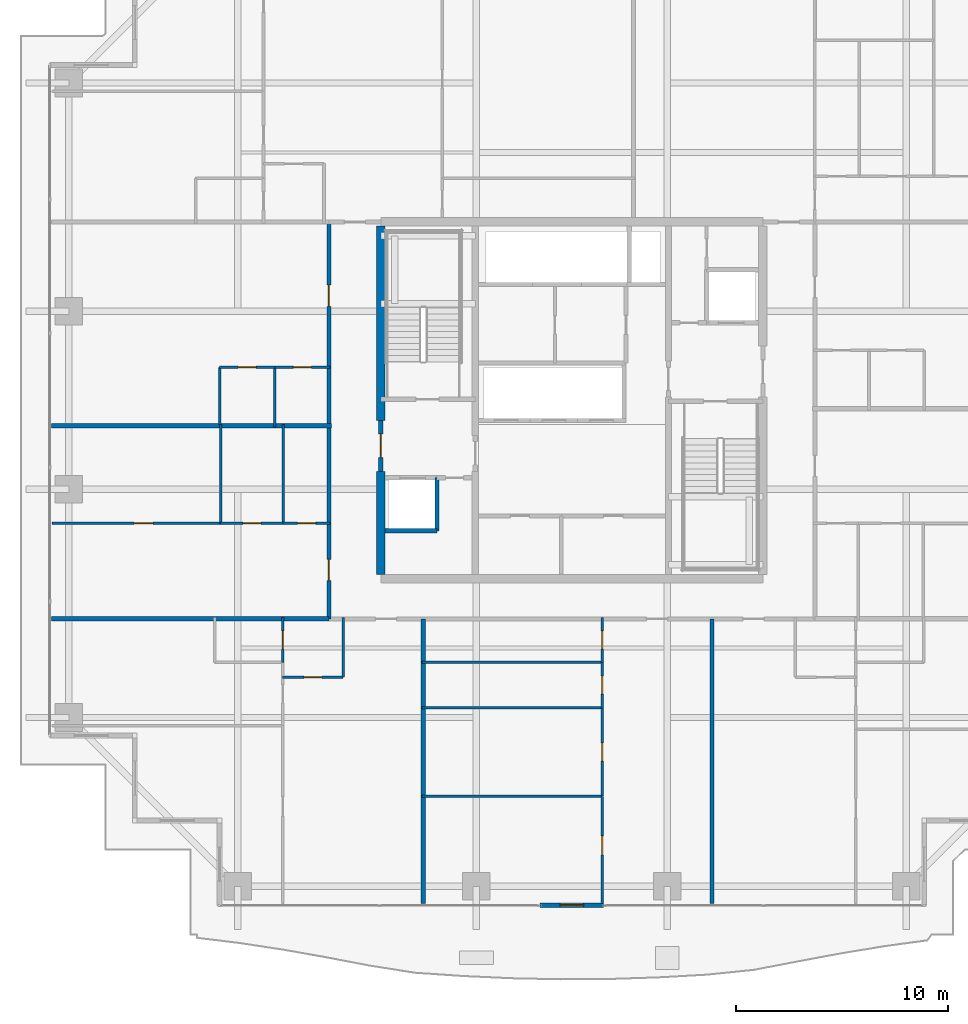
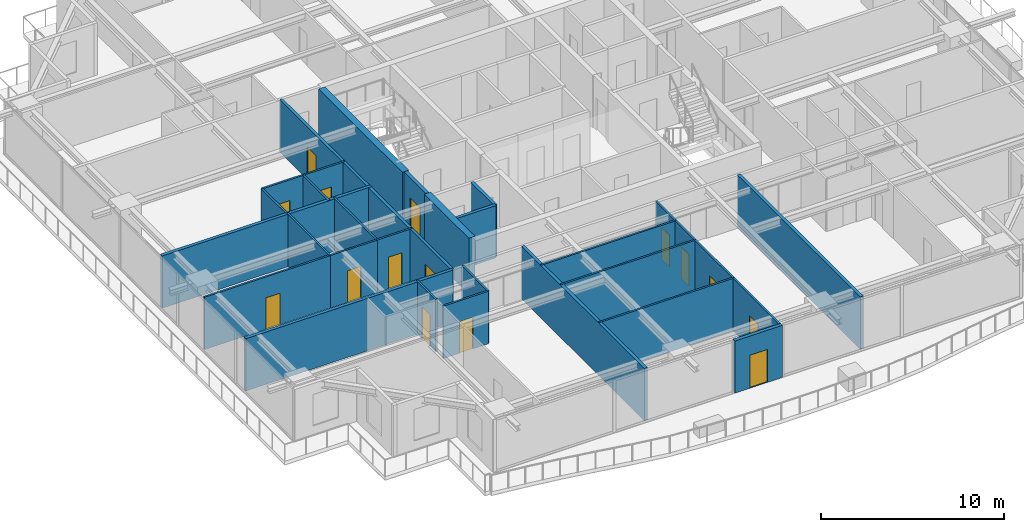
# One storey, part 26 of 36: 30 walls, 15 doors, 15 openings.
"""IFC4 building model written with IfcOpenShell, lengths in metres."""

from ifc_helpers import new_model, si_unit, direction, frame, frame_2d, origin, place, context, subcontext, project, spatial, rectangle, extrude, source, transform, mapped, material, layer, layer_set, type_object, element, fill, save


model = new_model("IFC4")

# Units and contexts
model_context = context("Model", 3, precision=1e-05, world=origin(), true_north=direction((0.0, 1.0)))
body_context = subcontext(model_context, "Body", "Model", "MODEL_VIEW")
ifc_project = project(units=[si_unit("LENGTHUNIT", "METRE"), si_unit("AREAUNIT", "SQUARE_METRE"), si_unit("VOLUMEUNIT", "CUBIC_METRE"), si_unit("PLANEANGLEUNIT", "RADIAN"), si_unit("MASSUNIT", "GRAM", prefix="KILO")], contexts=[model_context])

# Site, building, storey
site_placement = place(None, origin())
site = spatial("IfcSite", under=ifc_project, at=site_placement, CompositionType="ELEMENT")
building_placement = place(site_placement, origin())
building = spatial("IfcBuilding", under=site, at=building_placement, Name="Serunith Strait Residences", CompositionType="ELEMENT")
storey_placement = place(building_placement, frame((0.0, 0.0, 131.39990234375)))
storey = spatial("IfcBuildingStorey", under=building, at=storey_placement, Name="L32", CompositionType="ELEMENT", Elevation=131.39990234375)

# Wall, opening, door
ifc_material_1 = material(Name="Pale-Champagne Aluminium Insulated Panel", Category="aluminium")
ifc_layer_1 = layer(ifc_material_1, 0.219970703125, Name="Pale-Champagne Aluminium Insulated Panel")
ifc_layer_set_1 = layer_set([ifc_layer_1], Name="Pale-Champagne Aluminium Insulated Panel")
wall_type_1 = type_object("IfcWallType", Name="EW-ALUM-220", PredefinedType="ELEMENTEDWALL", material=ifc_layer_set_1)
wall_1_placement = place(storey_placement, frame((30.89990234375, 1.39990234375, 0.0), z_axis=(0.0, 0.0, 1.0), x_axis=(1.0, 0.0, 0.0)))
wall_1 = element("IfcWall", 1, at=wall_1_placement, inside=storey, type_object=wall_type_1, Name="L32 S Facade Pier Wall", PredefinedType="ELEMENTEDWALL", context=body_context, shape_type="SweptSolid", body=[
    extrude(rectangle(XDim=3.0, YDim=0.219970703125, at=frame_2d((1.5, 0.0))), origin(), (0.0, 0.0, 1.0), 3.47509765625),
])
opening_1_placement = place(wall_1_placement, frame((0.949951171875, 0.0, 0.0)))
opening_1 = element("IfcOpeningElement", 2, at=opening_1_placement, cuts=wall_1, Name="Opening ED-03", PredefinedType="OPENING", context=body_context, shape_type="SweptSolid", body=[
    extrude(rectangle(XDim=1.10009765625, YDim=2.199951171875, at=frame_2d((0.550048828125, 1.10009765625))), frame((0.0, 0.1201171875, 0.0), z_axis=(0.0, -1.0, 0.0), x_axis=(1.0, 0.0, 0.0)), (0.0, 0.0, 1.0), 0.239990234375),
])
ifc_material_2 = material(Name="Thermally-Broken Aluminium Glazed Balcony Door", Category="aluminium")
door_type_1 = type_object("IfcDoorType", Name="ED-BALC-1100", OperationType="NOTDEFINED", PredefinedType="DOOR", material=ifc_material_2)
shared_shape_1 = source(origin(), body_context, "Body", "SweptSolid", [
    extrude(rectangle(XDim=1.10009765625, YDim=2.199951171875, at=frame_2d((0.550048828125, 1.10009765625))), frame((0.0, 0.02490234375, 0.0), z_axis=(0.0, -1.0, 0.0), x_axis=(1.0, 0.0, 0.0)), (0.0, 0.0, 1.0), 0.050048828125),
])
door_1_placement = place(opening_1_placement, origin())
door_1 = element("IfcDoor", 3, at=door_1_placement, inside=storey, type_object=door_type_1, Name="L32 S Vertical-Forest Balcony Door", OperationType="SINGLE_SWING_LEFT", OverallHeight=2.199951171875, OverallWidth=1.10009765625, PredefinedType="DOOR", context=body_context, shape_type="MappedRepresentation", body=[
    mapped(shared_shape_1, transform((0.0, 0.0, 0.0), scale=1.0)),
])
fill(opening_1, door_1)

# Wall, openings, doors
ifc_material_3 = material(Name="Fire-rated acoustic gypsum partition")
ifc_layer_2 = layer(ifc_material_3, 0.179931640625, Name="Fire-rated acoustic gypsum partition")
ifc_layer_set_2 = layer_set([ifc_layer_2], Name="Fire-rated acoustic gypsum partition")
wall_type_2 = type_object("IfcWallType", Name="IW-CORR-180", PredefinedType="PARTITIONING", material=ifc_layer_set_2)
wall_2_placement = place(storey_placement, frame((20.949951171875, 14.89990234375, 0.0), z_axis=(0.0, 0.0, 1.0), x_axis=(0.0, 1.0, 0.0)))
wall_2 = element("IfcWall", 4, at=wall_2_placement, inside=storey, type_object=wall_type_2, Name="L32 Partition Wall 028", PredefinedType="PARTITIONING", context=body_context, shape_type="SweptSolid", body=[
    extrude(rectangle(XDim=18.7001953125, YDim=0.179931640625, at=frame_2d((9.35009765625, 0.0))), origin(), (0.0, 0.0, 1.0), 3.489990234375),
])
opening_2_placement = place(wall_2_placement, frame((1.804931640625, 0.0, 0.0)))
opening_2 = element("IfcOpeningElement", 5, at=opening_2_placement, cuts=wall_2, Name="Opening D-APT1000", PredefinedType="OPENING", context=body_context, shape_type="SweptSolid", body=[
    extrude(rectangle(XDim=1.0, YDim=2.14990234375, at=frame_2d((0.5, 1.074951171875))), frame((0.0, 0.10009765625, 0.0), z_axis=(0.0, -1.0, 0.0), x_axis=(1.0, 0.0, 0.0)), (0.0, 0.0, 1.0), 0.199951171875),
])
opening_3_placement = place(wall_2_placement, frame((14.72607421875, 0.0, 0.0)))
opening_3 = element("IfcOpeningElement", 6, at=opening_3_placement, cuts=wall_2, Name="Opening D-APT1000", PredefinedType="OPENING", context=body_context, shape_type="SweptSolid", body=[
    extrude(rectangle(XDim=1.0, YDim=2.14990234375, at=frame_2d((0.5, 1.074951171875))), frame((0.0, 0.10009765625, 0.0), z_axis=(0.0, -1.0, 0.0), x_axis=(1.0, 0.0, 0.0)), (0.0, 0.0, 1.0), 0.199951171875),
])
ifc_material_4 = material(Name="Solid timber engineered fire door", Category="wood")
door_type_2 = type_object("IfcDoorType", Name="ID-APT-1000", OperationType="NOTDEFINED", PredefinedType="DOOR", material=ifc_material_4)
shared_shape_2 = source(origin(), body_context, "Body", "SweptSolid", [
    extrude(rectangle(XDim=1.0, YDim=2.14990234375, at=frame_2d((0.5, 1.074951171875))), frame((0.0, 0.02490234375, 0.0), z_axis=(0.0, -1.0, 0.0), x_axis=(1.0, 0.0, 0.0)), (0.0, 0.0, 1.0), 0.050048828125),
])
door_2_placement = place(opening_2_placement, origin())
door_2 = element("IfcDoor", 7, at=door_2_placement, inside=storey, type_object=door_type_2, Name="L32 Unit 06 Entrance Door", OperationType="SINGLE_SWING_LEFT", OverallHeight=2.14990234375, OverallWidth=1.0, PredefinedType="DOOR", context=body_context, shape_type="MappedRepresentation", body=[
    mapped(shared_shape_2, transform((0.0, 0.0, 0.0), scale=1.0)),
])
fill(opening_2, door_2)
door_3_placement = place(opening_3_placement, origin())
door_3 = element("IfcDoor", 8, at=door_3_placement, inside=storey, type_object=door_type_2, Name="L32 Unit 07 Entrance Door", OperationType="SINGLE_SWING_RIGHT", OverallHeight=2.14990234375, OverallWidth=1.0, PredefinedType="DOOR", context=body_context, shape_type="MappedRepresentation", body=[
    mapped(shared_shape_2, transform((0.0, 0.0, 0.0), scale=1.0)),
])
fill(opening_3, door_3)

# Wall, opening, door
ifc_material_5 = material(Name="Lightweight steel-stud gypsum partition", Category="steel")
ifc_layer_3 = layer(ifc_material_5, 0.1201171875, Name="Lightweight steel-stud gypsum partition")
ifc_layer_set_3 = layer_set([ifc_layer_3], Name="Lightweight steel-stud gypsum partition")
wall_type_3 = type_object("IfcWallType", Name="IW-PART-120", PredefinedType="PARTITIONING", material=ifc_layer_set_3)
wall_3_placement = place(storey_placement, frame((18.77001953125, 12.14990234375, 0.0), z_axis=(0.0, 0.0, 1.0), x_axis=(1.0, 0.0, 0.0)))
wall_3 = element("IfcWall", 9, at=wall_3_placement, inside=storey, type_object=wall_type_3, Name="L32 Partition Wall 032", PredefinedType="PARTITIONING", context=body_context, shape_type="SweptSolid", body=[
    extrude(rectangle(XDim=2.85009765625, YDim=0.1201171875, at=frame_2d((1.425048828125, 0.0))), origin(), (0.0, 0.0, 1.0), 3.489990234375),
])
opening_4_placement = place(wall_3_placement, frame((1.0, 0.0, 0.0)))
opening_4 = element("IfcOpeningElement", 10, at=opening_4_placement, cuts=wall_3, Name="Opening D-RM850", PredefinedType="OPENING", context=body_context, shape_type="SweptSolid", body=[
    extrude(rectangle(XDim=0.85009765625, YDim=2.10009765625, at=frame_2d((0.425048828125, 1.050048828125))), frame((0.0, 0.070068359375, 0.0), z_axis=(0.0, -1.0, 0.0), x_axis=(1.0, 0.0, 0.0)), (0.0, 0.0, 1.0), 0.14013671875),
])
ifc_material_6 = material(Name="Engineered timber flush study and kitchen door", Category="wood")
door_type_3 = type_object("IfcDoorType", Name="ID-ROOM-850", OperationType="NOTDEFINED", PredefinedType="DOOR", material=ifc_material_6)
shared_shape_3 = source(origin(), body_context, "Body", "SweptSolid", [
    extrude(rectangle(XDim=0.85009765625, YDim=2.10009765625, at=frame_2d((0.425048828125, 1.050048828125))), frame((0.0, 0.02490234375, 0.0), z_axis=(0.0, -1.0, 0.0), x_axis=(1.0, 0.0, 0.0)), (0.0, 0.0, 1.0), 0.050048828125),
])
door_4_placement = place(opening_4_placement, origin())
door_4 = element("IfcDoor", 11, at=door_4_placement, inside=storey, type_object=door_type_3, Name="L32 Kitchen 3201 Door", OperationType="SINGLE_SWING_LEFT", OverallHeight=2.10009765625, OverallWidth=0.85009765625, PredefinedType="DOOR", context=body_context, shape_type="MappedRepresentation", body=[
    mapped(shared_shape_3, transform((0.0, 0.0, 0.0), scale=1.0)),
])
fill(opening_4, door_4)

# Wall
wall_4_placement = place(storey_placement, frame((21.6201171875, 12.14990234375, 0.0), z_axis=(0.0, 0.0, 1.0), x_axis=(0.0, 1.0, 0.0)))
element("IfcWall", 12, at=wall_4_placement, inside=storey, type_object=wall_type_3, Name="L32 Partition Wall 033", PredefinedType="PARTITIONING", context=body_context, shape_type="SweptSolid", body=[
    extrude(rectangle(XDim=2.81005859375, YDim=0.1201171875, at=frame_2d((1.405029296875, 0.0))), origin(), (0.0, 0.0, 1.0), 3.489990234375),
])

# Wall, opening, door
wall_5_placement = place(storey_placement, frame((18.77001953125, 12.85205078125, 0.0), z_axis=(0.0, 0.0, 1.0), x_axis=(0.0, 1.0, 0.0)))
wall_5 = element("IfcWall", 13, at=wall_5_placement, inside=storey, type_object=wall_type_3, Name="L32 Partition Wall 039", PredefinedType="PARTITIONING", context=body_context, shape_type="SweptSolid", body=[
    extrude(rectangle(XDim=2.10791015625, YDim=0.1201171875, at=frame_2d((1.053955078125, 0.0))), origin(), (0.0, 0.0, 1.0), 3.489990234375),
])
opening_5_placement = place(wall_5_placement, frame((0.62890625, 0.0, 0.0)))
opening_5 = element("IfcOpeningElement", 14, at=opening_5_placement, cuts=wall_5, Name="Opening D-BTH850", PredefinedType="OPENING", context=body_context, shape_type="SweptSolid", body=[
    extrude(rectangle(XDim=0.85009765625, YDim=2.10009765625, at=frame_2d((0.425048828125, 1.050048828125))), frame((0.0, 0.070068359375, 0.0), z_axis=(0.0, -1.0, 0.0), x_axis=(1.0, 0.0, 0.0)), (0.0, 0.0, 1.0), 0.14013671875),
])
ifc_material_7 = material(Name="Moisture-resistant timber bathroom door", Category="wood")
door_type_4 = type_object("IfcDoorType", Name="ID-BATH-850", OperationType="NOTDEFINED", PredefinedType="DOOR", material=ifc_material_7)
door_5_placement = place(opening_5_placement, origin())
door_5 = element("IfcDoor", 15, at=door_5_placement, inside=storey, type_object=door_type_4, Name="L32 Bathroom 3201 Door", OperationType="SINGLE_SWING_RIGHT", OverallHeight=2.10009765625, OverallWidth=0.85009765625, PredefinedType="DOOR", context=body_context, shape_type="MappedRepresentation", body=[
    mapped(shared_shape_3, transform((0.0, 0.0, 0.0), scale=1.0)),
])
fill(opening_5, door_5)

wall_6_placement = place(storey_placement, frame((33.830078125, 1.4951171875, 0.0), z_axis=(0.0, 0.0, 1.0), x_axis=(0.0, 1.0, 0.0)))
wall_6 = element("IfcWall", 16, at=wall_6_placement, inside=storey, type_object=wall_type_3, Name="L32 Partition Wall 040", PredefinedType="PARTITIONING", context=body_context, shape_type="SweptSolid", body=[
    extrude(rectangle(XDim=5.044921875, YDim=0.1201171875, at=frame_2d((2.5224609375, 0.0))), origin(), (0.0, 0.0, 1.0), 3.489990234375),
])
opening_6_placement = place(wall_6_placement, frame((2.280029296875, 0.0, 0.0)))
opening_6 = element("IfcOpeningElement", 17, at=opening_6_placement, cuts=wall_6, Name="Opening D-RM900", PredefinedType="OPENING", context=body_context, shape_type="SweptSolid", body=[
    extrude(rectangle(XDim=0.89990234375, YDim=2.10009765625, at=frame_2d((0.449951171875, 1.050048828125))), frame((0.0, 0.070068359375, 0.0), z_axis=(0.0, -1.0, 0.0), x_axis=(1.0, 0.0, 0.0)), (0.0, 0.0, 1.0), 0.14013671875),
])
ifc_material_8 = material(Name="Engineered timber flush bedroom door", Category="wood")
door_type_5 = type_object("IfcDoorType", Name="ID-ROOM-900", OperationType="NOTDEFINED", PredefinedType="DOOR", material=ifc_material_8)
shared_shape_4 = source(origin(), body_context, "Body", "SweptSolid", [
    extrude(rectangle(XDim=0.89990234375, YDim=2.10009765625, at=frame_2d((0.449951171875, 1.050048828125))), frame((0.0, 0.02490234375, 0.0), z_axis=(0.0, -1.0, 0.0), x_axis=(1.0, 0.0, 0.0)), (0.0, 0.0, 1.0), 0.050048828125),
])
door_6_placement = place(opening_6_placement, origin())
door_6 = element("IfcDoor", 18, at=door_6_placement, inside=storey, type_object=door_type_5, Name="L32 Master Bedroom 1 3202 Door", OperationType="SINGLE_SWING_LEFT", OverallHeight=2.10009765625, OverallWidth=0.89990234375, PredefinedType="DOOR", context=body_context, shape_type="MappedRepresentation", body=[
    mapped(shared_shape_4, transform((0.0, 0.0, 0.0), scale=1.0)),
])
fill(opening_6, door_6)

# Walls
for number, where, z_axis, x_axis, name in (
    (19, (25.340087890625, 6.5400390625, 0.0), (0.0, 0.0, 1.0), (1.0, 0.0, 0.0), "L32 Partition Wall 041"),
    (20, (25.340087890625, 10.702880859375, 0.0), (0.0, 0.0, 1.0), (1.0, 0.0, 0.0), "L32 Partition Wall 042"),
    (21, (25.340087890625, 12.85009765625, 0.0), (0.0, 0.0, 1.0), (1.0, 0.0, 0.0), "L32 Partition Wall 043"),
):
    element("IfcWall", number, at=place(storey_placement, frame(where, z_axis=z_axis, x_axis=x_axis)), inside=storey, type_object=wall_type_3, Name=name, PredefinedType="PARTITIONING", context=body_context, shape_type="SweptSolid", body=[
        extrude(rectangle(XDim=8.489990234375, YDim=0.1201171875, at=frame_2d((4.2451171875, 0.0))), origin(), (0.0, 0.0, 1.0), 3.489990234375),
    ])

# Wall, opening, door
wall_7_placement = place(storey_placement, frame((33.830078125, 6.5419921875, 0.0), z_axis=(0.0, 0.0, 1.0), x_axis=(0.0, 1.0, 0.0)))
wall_7 = element("IfcWall", 22, at=wall_7_placement, inside=storey, type_object=wall_type_3, Name="L32 Partition Wall 044", PredefinedType="PARTITIONING", context=body_context, shape_type="SweptSolid", body=[
    extrude(rectangle(XDim=4.160888671875, YDim=0.1201171875, at=frame_2d((2.08056640625, 0.0))), origin(), (0.0, 0.0, 1.0), 3.489990234375),
])
opening_7_placement = place(wall_7_placement, frame((1.655029296875, 0.0, 0.0)))
opening_7 = element("IfcOpeningElement", 23, at=opening_7_placement, cuts=wall_7, Name="Opening D-RM850", PredefinedType="OPENING", context=body_context, shape_type="SweptSolid", body=[
    extrude(rectangle(XDim=0.85009765625, YDim=2.10009765625, at=frame_2d((0.425048828125, 1.050048828125))), frame((0.0, 0.070068359375, 0.0), z_axis=(0.0, -1.0, 0.0), x_axis=(1.0, 0.0, 0.0)), (0.0, 0.0, 1.0), 0.14013671875),
])
door_7_placement = place(opening_7_placement, origin())
door_7 = element("IfcDoor", 24, at=door_7_placement, inside=storey, type_object=door_type_3, Name="L32 Dining 3202 Door", OperationType="SINGLE_SWING_RIGHT", OverallHeight=2.10009765625, OverallWidth=0.85009765625, PredefinedType="DOOR", context=body_context, shape_type="MappedRepresentation", body=[
    mapped(shared_shape_3, transform((0.0, 0.0, 0.0), scale=1.0)),
])
fill(opening_7, door_7)

wall_8_placement = place(storey_placement, frame((33.830078125, 10.705078125, 0.0), z_axis=(0.0, 0.0, 1.0), x_axis=(0.0, 1.0, 0.0)))
wall_8 = element("IfcWall", 25, at=wall_8_placement, inside=storey, type_object=wall_type_3, Name="L32 Partition Wall 045", PredefinedType="PARTITIONING", context=body_context, shape_type="SweptSolid", body=[
    extrude(rectangle(XDim=2.14501953125, YDim=0.1201171875, at=frame_2d((1.072509765625, 0.0))), origin(), (0.0, 0.0, 1.0), 3.489990234375),
])
opening_8_placement = place(wall_8_placement, frame((0.64697265625, 0.0, 0.0)))
opening_8 = element("IfcOpeningElement", 26, at=opening_8_placement, cuts=wall_8, Name="Opening D-RM850", PredefinedType="OPENING", context=body_context, shape_type="SweptSolid", body=[
    extrude(rectangle(XDim=0.85009765625, YDim=2.10009765625, at=frame_2d((0.425048828125, 1.050048828125))), frame((0.0, 0.070068359375, 0.0), z_axis=(0.0, -1.0, 0.0), x_axis=(1.0, 0.0, 0.0)), (0.0, 0.0, 1.0), 0.14013671875),
])
door_8_placement = place(opening_8_placement, origin())
door_8 = element("IfcDoor", 27, at=door_8_placement, inside=storey, type_object=door_type_3, Name="L32 Kitchen 3202 Door", OperationType="SINGLE_SWING_LEFT", OverallHeight=2.10009765625, OverallWidth=0.85009765625, PredefinedType="DOOR", context=body_context, shape_type="MappedRepresentation", body=[
    mapped(shared_shape_3, transform((0.0, 0.0, 0.0), scale=1.0)),
])
fill(opening_8, door_8)

wall_9_placement = place(storey_placement, frame((33.830078125, 12.85205078125, 0.0), z_axis=(0.0, 0.0, 1.0), x_axis=(0.0, 1.0, 0.0)))
wall_9 = element("IfcWall", 28, at=wall_9_placement, inside=storey, type_object=wall_type_3, Name="L32 Partition Wall 046", PredefinedType="PARTITIONING", context=body_context, shape_type="SweptSolid", body=[
    extrude(rectangle(XDim=2.10791015625, YDim=0.1201171875, at=frame_2d((1.053955078125, 0.0))), origin(), (0.0, 0.0, 1.0), 3.489990234375),
])
opening_9_placement = place(wall_9_placement, frame((0.62890625, 0.0, 0.0)))
opening_9 = element("IfcOpeningElement", 29, at=opening_9_placement, cuts=wall_9, Name="Opening D-BTH850", PredefinedType="OPENING", context=body_context, shape_type="SweptSolid", body=[
    extrude(rectangle(XDim=0.85009765625, YDim=2.10009765625, at=frame_2d((0.425048828125, 1.050048828125))), frame((0.0, 0.070068359375, 0.0), z_axis=(0.0, -1.0, 0.0), x_axis=(1.0, 0.0, 0.0)), (0.0, 0.0, 1.0), 0.14013671875),
])
door_9_placement = place(opening_9_placement, origin())
door_9 = element("IfcDoor", 30, at=door_9_placement, inside=storey, type_object=door_type_4, Name="L32 Bathroom 3202 Door", OperationType="SINGLE_SWING_RIGHT", OverallHeight=2.10009765625, OverallWidth=0.85009765625, PredefinedType="DOOR", context=body_context, shape_type="MappedRepresentation", body=[
    mapped(shared_shape_3, transform((0.0, 0.0, 0.0), scale=1.0)),
])
fill(opening_9, door_9)

wall_10_placement = place(storey_placement, frame((7.89501953125, 19.39990234375, 0.0), z_axis=(0.0, 0.0, 1.0), x_axis=(1.0, 0.0, 0.0)))
wall_10 = element("IfcWall", 31, at=wall_10_placement, inside=storey, type_object=wall_type_3, Name="L32 Partition Wall 081", PredefinedType="PARTITIONING", context=body_context, shape_type="SweptSolid", body=[
    extrude(rectangle(XDim=7.950927734375, YDim=0.1201171875, at=frame_2d((3.9755859375, 0.0))), origin(), (0.0, 0.0, 1.0), 3.489990234375),
])
opening_10_placement = place(wall_10_placement, frame((3.8779296875, 0.0, 0.0)))
opening_10 = element("IfcOpeningElement", 32, at=opening_10_placement, cuts=wall_10, Name="Opening D-RM900", PredefinedType="OPENING", context=body_context, shape_type="SweptSolid", body=[
    extrude(rectangle(XDim=0.89990234375, YDim=2.10009765625, at=frame_2d((0.449951171875, 1.050048828125))), frame((0.0, 0.070068359375, 0.0), z_axis=(0.0, -1.0, 0.0), x_axis=(1.0, 0.0, 0.0)), (0.0, 0.0, 1.0), 0.14013671875),
])
door_10_placement = place(opening_10_placement, origin())
door_10 = element("IfcDoor", 33, at=door_10_placement, inside=storey, type_object=door_type_5, Name="L32 Master Bedroom 1 3206 Door", OperationType="SINGLE_SWING_LEFT", OverallHeight=2.10009765625, OverallWidth=0.89990234375, PredefinedType="DOOR", context=body_context, shape_type="MappedRepresentation", body=[
    mapped(shared_shape_4, transform((0.0, 0.0, 0.0), scale=1.0)),
])
fill(opening_10, door_10)

# Walls
for number, where, z_axis, x_axis, name in (
    (34, (15.845947265625, 19.39990234375, 0.0), (0.0, 0.0, 1.0), (0.0, 1.0, 0.0), "L32 Partition Wall 082"),
    (35, (18.798095703125, 19.39990234375, 0.0), (0.0, 0.0, 1.0), (0.0, 1.0, 0.0), "L32 Partition Wall 083"),
):
    element("IfcWall", number, at=place(storey_placement, frame(where, z_axis=z_axis, x_axis=x_axis)), inside=storey, type_object=wall_type_3, Name=name, PredefinedType="PARTITIONING", context=body_context, shape_type="SweptSolid", body=[
        extrude(rectangle(XDim=4.66015625, YDim=0.1201171875, at=frame_2d((2.330078125, 0.0))), origin(), (0.0, 0.0, 1.0), 3.489990234375),
    ])

# Wall, opening, door
wall_11_placement = place(storey_placement, frame((15.847900390625, 19.39990234375, 0.0), z_axis=(0.0, 0.0, 1.0), x_axis=(1.0, 0.0, 0.0)))
wall_11 = element("IfcWall", 36, at=wall_11_placement, inside=storey, type_object=wall_type_3, Name="L32 Partition Wall 084", PredefinedType="PARTITIONING", context=body_context, shape_type="SweptSolid", body=[
    extrude(rectangle(XDim=2.9501953125, YDim=0.1201171875, at=frame_2d((1.47509765625, 0.0))), origin(), (0.0, 0.0, 1.0), 3.489990234375),
])
opening_11_placement = place(wall_11_placement, frame((1.050048828125, 0.0, 0.0)))
opening_11 = element("IfcOpeningElement", 37, at=opening_11_placement, cuts=wall_11, Name="Opening D-RM850", PredefinedType="OPENING", context=body_context, shape_type="SweptSolid", body=[
    extrude(rectangle(XDim=0.85009765625, YDim=2.10009765625, at=frame_2d((0.425048828125, 1.050048828125))), frame((0.0, 0.070068359375, 0.0), z_axis=(0.0, -1.0, 0.0), x_axis=(1.0, 0.0, 0.0)), (0.0, 0.0, 1.0), 0.14013671875),
])
door_11_placement = place(opening_11_placement, origin())
door_11 = element("IfcDoor", 38, at=door_11_placement, inside=storey, type_object=door_type_3, Name="L32 Kitchen 3206 Door", OperationType="SINGLE_SWING_RIGHT", OverallHeight=2.10009765625, OverallWidth=0.85009765625, PredefinedType="DOOR", context=body_context, shape_type="MappedRepresentation", body=[
    mapped(shared_shape_3, transform((0.0, 0.0, 0.0), scale=1.0)),
])
fill(opening_11, door_11)

wall_12_placement = place(storey_placement, frame((18.800048828125, 19.39990234375, 0.0), z_axis=(0.0, 0.0, 1.0), x_axis=(1.0, 0.0, 0.0)))
wall_12 = element("IfcWall", 39, at=wall_12_placement, inside=storey, type_object=wall_type_3, Name="L32 Partition Wall 085", PredefinedType="PARTITIONING", context=body_context, shape_type="SweptSolid", body=[
    extrude(rectangle(XDim=2.2099609375, YDim=0.1201171875, at=frame_2d((1.10498046875, 0.0))), origin(), (0.0, 0.0, 1.0), 3.489990234375),
])
opening_12_placement = place(wall_12_placement, frame((0.679931640625, 0.0, 0.0)))
opening_12 = element("IfcOpeningElement", 40, at=opening_12_placement, cuts=wall_12, Name="Opening D-BTH850", PredefinedType="OPENING", context=body_context, shape_type="SweptSolid", body=[
    extrude(rectangle(XDim=0.85009765625, YDim=2.10009765625, at=frame_2d((0.425048828125, 1.050048828125))), frame((0.0, 0.070068359375, 0.0), z_axis=(0.0, -1.0, 0.0), x_axis=(1.0, 0.0, 0.0)), (0.0, 0.0, 1.0), 0.14013671875),
])
door_12_placement = place(opening_12_placement, origin())
door_12 = element("IfcDoor", 41, at=door_12_placement, inside=storey, type_object=door_type_4, Name="L32 Bathroom 3206 Door", OperationType="SINGLE_SWING_LEFT", OverallHeight=2.10009765625, OverallWidth=0.85009765625, PredefinedType="DOOR", context=body_context, shape_type="MappedRepresentation", body=[
    mapped(shared_shape_3, transform((0.0, 0.0, 0.0), scale=1.0)),
])
fill(opening_12, door_12)

wall_13_placement = place(storey_placement, frame((15.800048828125, 26.75, 0.0), z_axis=(0.0, 0.0, 1.0), x_axis=(1.0, 0.0, 0.0)))
wall_13 = element("IfcWall", 42, at=wall_13_placement, inside=storey, type_object=wall_type_3, Name="L32 Partition Wall 086", PredefinedType="PARTITIONING", context=body_context, shape_type="SweptSolid", body=[
    extrude(rectangle(XDim=2.599853515625, YDim=0.1201171875, at=frame_2d((1.2998046875, 0.0))), origin(), (0.0, 0.0, 1.0), 3.489990234375),
])
opening_13_placement = place(wall_13_placement, frame((0.875, 0.0, 0.0)))
opening_13 = element("IfcOpeningElement", 43, at=opening_13_placement, cuts=wall_13, Name="Opening D-RM850", PredefinedType="OPENING", context=body_context, shape_type="SweptSolid", body=[
    extrude(rectangle(XDim=0.85009765625, YDim=2.10009765625, at=frame_2d((0.425048828125, 1.050048828125))), frame((0.0, 0.070068359375, 0.0), z_axis=(0.0, -1.0, 0.0), x_axis=(1.0, 0.0, 0.0)), (0.0, 0.0, 1.0), 0.14013671875),
])
door_13_placement = place(opening_13_placement, origin())
door_13 = element("IfcDoor", 44, at=door_13_placement, inside=storey, type_object=door_type_3, Name="L32 Kitchen 3207 Door", OperationType="SINGLE_SWING_RIGHT", OverallHeight=2.10009765625, OverallWidth=0.85009765625, PredefinedType="DOOR", context=body_context, shape_type="MappedRepresentation", body=[
    mapped(shared_shape_3, transform((0.0, 0.0, 0.0), scale=1.0)),
])
fill(opening_13, door_13)

wall_14_placement = place(storey_placement, frame((18.402099609375, 26.75, 0.0), z_axis=(0.0, 0.0, 1.0), x_axis=(1.0, 0.0, 0.0)))
wall_14 = element("IfcWall", 45, at=wall_14_placement, inside=storey, type_object=wall_type_3, Name="L32 Partition Wall 087", PredefinedType="PARTITIONING", context=body_context, shape_type="SweptSolid", body=[
    extrude(rectangle(XDim=2.60791015625, YDim=0.1201171875, at=frame_2d((1.303955078125, 0.0))), origin(), (0.0, 0.0, 1.0), 3.489990234375),
])
opening_14_placement = place(wall_14_placement, frame((0.87890625, 0.0, 0.0)))
opening_14 = element("IfcOpeningElement", 46, at=opening_14_placement, cuts=wall_14, Name="Opening D-BTH850", PredefinedType="OPENING", context=body_context, shape_type="SweptSolid", body=[
    extrude(rectangle(XDim=0.85009765625, YDim=2.10009765625, at=frame_2d((0.425048828125, 1.050048828125))), frame((0.0, 0.070068359375, 0.0), z_axis=(0.0, -1.0, 0.0), x_axis=(1.0, 0.0, 0.0)), (0.0, 0.0, 1.0), 0.14013671875),
])
door_14_placement = place(opening_14_placement, origin())
door_14 = element("IfcDoor", 47, at=door_14_placement, inside=storey, type_object=door_type_4, Name="L32 Bathroom 3207 Door", OperationType="SINGLE_SWING_LEFT", OverallHeight=2.10009765625, OverallWidth=0.85009765625, PredefinedType="DOOR", context=body_context, shape_type="MappedRepresentation", body=[
    mapped(shared_shape_3, transform((0.0, 0.0, 0.0), scale=1.0)),
])
fill(opening_14, door_14)

# Walls
wall_15_placement = place(storey_placement, frame((18.39990234375, 23.93994140625, 0.0), z_axis=(0.0, 0.0, 1.0), x_axis=(0.0, 1.0, 0.0)))
element("IfcWall", 48, at=wall_15_placement, inside=storey, type_object=wall_type_3, Name="L32 Partition Wall 088", PredefinedType="PARTITIONING", context=body_context, shape_type="SweptSolid", body=[
    extrude(rectangle(XDim=2.81005859375, YDim=0.1201171875, at=frame_2d((1.405029296875, 0.0))), origin(), (0.0, 0.0, 1.0), 3.489990234375),
])
wall_16_placement = place(storey_placement, frame((15.800048828125, 24.06201171875, 0.0), z_axis=(0.0, 0.0, 1.0), x_axis=(0.0, 1.0, 0.0)))
element("IfcWall", 49, at=wall_16_placement, inside=storey, type_object=wall_type_3, Name="L32 Partition Wall 089", PredefinedType="PARTITIONING", context=body_context, shape_type="SweptSolid", body=[
    extrude(rectangle(XDim=2.68798828125, YDim=0.1201171875, at=frame_2d((1.343994140625, 0.0))), origin(), (0.0, 0.0, 1.0), 3.489990234375),
])
ifc_material_9 = material(Name="Twin-stud acoustic gypsum board partition")
ifc_layer_4 = layer(ifc_material_9, 0.199951171875, Name="Twin-stud acoustic gypsum board partition")
ifc_layer_set_4 = layer_set([ifc_layer_4], Name="Twin-stud acoustic gypsum board partition")
wall_type_4 = type_object("IfcWallType", Name="IW-PARTY-200", PredefinedType="PARTITIONING", material=ifc_layer_set_4)
for number, where, z_axis, x_axis, name in (
    (50, (25.39990234375, 1.48193359375, 0.0), (0.0, 0.0, 1.0), (0.0, 1.0, 0.0), "L32 Partition Wall 018"),
    (51, (39.0, 1.48193359375, 0.0), (0.0, 0.0, 1.0), (0.0, 1.0, 0.0), "L32 Partition Wall 019"),
):
    element("IfcWall", number, at=place(storey_placement, frame(where, z_axis=z_axis, x_axis=x_axis)), inside=storey, type_object=wall_type_4, Name=name, PredefinedType="PARTITIONING", context=body_context, shape_type="SweptSolid", body=[
        extrude(rectangle(XDim=13.41796875, YDim=0.199951171875, at=frame_2d((6.708984375, 0.0))), origin(), (0.0, 0.0, 1.0), 3.489990234375),
    ])
wall_17_placement = place(storey_placement, frame((7.882080078125, 24.0, 0.0), z_axis=(0.0, 0.0, 1.0), x_axis=(1.0, 0.0, 0.0)))
element("IfcWall", 52, at=wall_17_placement, inside=storey, type_object=wall_type_4, Name="L32 Partition Wall 021", PredefinedType="PARTITIONING", context=body_context, shape_type="SweptSolid", body=[
    extrude(rectangle(XDim=13.18798828125, YDim=0.199951171875, at=frame_2d((6.593994140625, 0.0))), origin(), (0.0, 0.0, 1.0), 3.489990234375),
])
wall_18_placement = place(storey_placement, frame((7.882080078125, 14.89990234375, 0.0), z_axis=(0.0, 0.0, 1.0), x_axis=(1.0, 0.0, 0.0)))
element("IfcWall", 53, at=wall_18_placement, inside=storey, type_object=wall_type_4, Name="L32 Partition Wall 023", PredefinedType="PARTITIONING", context=body_context, shape_type="SweptSolid", body=[
    extrude(rectangle(XDim=13.06787109375, YDim=0.199951171875, at=frame_2d((6.533935546875, 0.0))), origin(), (0.0, 0.0, 1.0), 3.489990234375),
])
ifc_material_10 = material(Name="Autoclaved aerated concrete blockwork", Category="masonry")
ifc_layer_5 = layer(ifc_material_10, 0.199951171875, Name="Autoclaved aerated concrete blockwork")
ifc_layer_set_5 = layer_set([ifc_layer_5], Name="Autoclaved aerated concrete blockwork")
wall_type_5 = type_object("IfcWallType", Name="IW-SHAFT-200", PredefinedType="STANDARD", material=ifc_layer_set_5)
wall_19_placement = place(storey_placement, frame((26.050048828125, 19.050048828125, 0.0), z_axis=(0.0, 0.0, 1.0), x_axis=(0.0, 1.0, 0.0)))
element("IfcWall", 54, at=wall_19_placement, inside=storey, type_object=wall_type_5, Name="L32 Partition Wall 001", PredefinedType="STANDARD", context=body_context, shape_type="SweptSolid", body=[
    extrude(rectangle(XDim=2.5, YDim=0.199951171875, at=frame_2d((1.25, 0.0))), origin(), (0.0, 0.0, 1.0), 3.489990234375),
])
wall_20_placement = place(storey_placement, frame((23.60009765625, 19.050048828125, 0.0), z_axis=(0.0, 0.0, 1.0), x_axis=(1.0, 0.0, 0.0)))
element("IfcWall", 55, at=wall_20_placement, inside=storey, type_object=wall_type_5, Name="L32 Partition Wall 002", PredefinedType="STANDARD", context=body_context, shape_type="SweptSolid", body=[
    extrude(rectangle(XDim=2.449951171875, YDim=0.199951171875, at=frame_2d((1.22509765625, 0.0))), origin(), (0.0, 0.0, 1.0), 3.489990234375),
])

# Wall, opening, door
wall_21_placement = place(storey_placement, frame((23.39990234375, 21.85205078125, 0.0), z_axis=(0.0, 0.0, 1.0), x_axis=(0.0, 1.0, 0.0)))
wall_21 = element("IfcWall", 56, at=wall_21_placement, inside=storey, type_object=wall_type_5, Name="L32 Partition Wall 007", PredefinedType="STANDARD", context=body_context, shape_type="SweptSolid", body=[
    extrude(rectangle(XDim=2.39599609375, YDim=0.199951171875, at=frame_2d((1.197998046875, 0.0))), origin(), (0.0, 0.0, 1.0), 3.489990234375),
])
opening_15_placement = place(wall_21_placement, frame((0.64794921875, 0.0, 0.0)))
opening_15 = element("IfcOpeningElement", 57, at=opening_15_placement, cuts=wall_21, Name="Opening FD-FFL", PredefinedType="OPENING", context=body_context, shape_type="SweptSolid", body=[
    extrude(rectangle(XDim=1.10009765625, YDim=2.14990234375, at=frame_2d((0.550048828125, 1.074951171875))), frame((0.0, 0.10986328125, 0.0), z_axis=(0.0, -1.0, 0.0), x_axis=(1.0, 0.0, 0.0)), (0.0, 0.0, 1.0), 0.219970703125),
])
ifc_material_11 = material(Name="Glazed steel smoke-lobby fire door", Category="steel")
door_type_6 = type_object("IfcDoorType", Name="FD-FFL-1100", OperationType="NOTDEFINED", PredefinedType="DOOR", material=ifc_material_11)
shared_shape_5 = source(origin(), body_context, "Body", "SweptSolid", [
    extrude(rectangle(XDim=1.10009765625, YDim=2.14990234375, at=frame_2d((0.550048828125, 1.074951171875))), frame((0.0, 0.02490234375, 0.0), z_axis=(0.0, -1.0, 0.0), x_axis=(1.0, 0.0, 0.0)), (0.0, 0.0, 1.0), 0.050048828125),
])
door_15_placement = place(opening_15_placement, origin())
door_15 = element("IfcDoor", 58, at=door_15_placement, inside=storey, type_object=door_type_6, Name="L32 FFL-1 Corridor Fire Door", OperationType="SINGLE_SWING_LEFT", OverallHeight=2.14990234375, OverallWidth=1.10009765625, PredefinedType="DOOR", context=body_context, shape_type="MappedRepresentation", body=[
    mapped(shared_shape_5, transform((0.0, 0.0, 0.0), scale=1.0)),
])
fill(opening_15, door_15)

# Walls
ifc_material_12 = material(Name="Concrete C70/85", Category="concrete")
ifc_layer_6 = layer(ifc_material_12, 0.39990234375, Name="Concrete C70/85")
ifc_layer_set_6 = layer_set([ifc_layer_6], Name="Concrete C70/85")
wall_type_6 = type_object("IfcWallType", Name="SW-400-C70", PredefinedType="SHEAR", material=ifc_layer_set_6)
wall_22_placement = place(storey_placement, frame((23.39990234375, 17.0, -0.260009765625), z_axis=(0.0, 0.0, 1.0), x_axis=(0.0, 1.0, 0.0)))
element("IfcWall", 59, at=wall_22_placement, inside=storey, type_object=wall_type_6, Name="L32 Core West Shear Wall South Pier", PredefinedType="SHEAR", context=body_context, shape_type="SweptSolid", body=[
    extrude(rectangle(XDim=4.85009765625, YDim=0.39990234375, at=frame_2d((2.425048828125, 0.0))), origin(), (0.0, 0.0, 1.0), 3.748046875),
])
wall_23_placement = place(storey_placement, frame((23.39990234375, 24.25, -0.260009765625), z_axis=(0.0, 0.0, 1.0), x_axis=(0.0, 1.0, 0.0)))
element("IfcWall", 60, at=wall_23_placement, inside=storey, type_object=wall_type_6, Name="L32 Core West Shear Wall North Pier", PredefinedType="SHEAR", context=body_context, shape_type="SweptSolid", body=[
    extrude(rectangle(XDim=9.14990234375, YDim=0.39990234375, at=frame_2d((4.574951171875, 0.0))), origin(), (0.0, 0.0, 1.0), 3.748046875),
])

save(model, "model.ifc")
